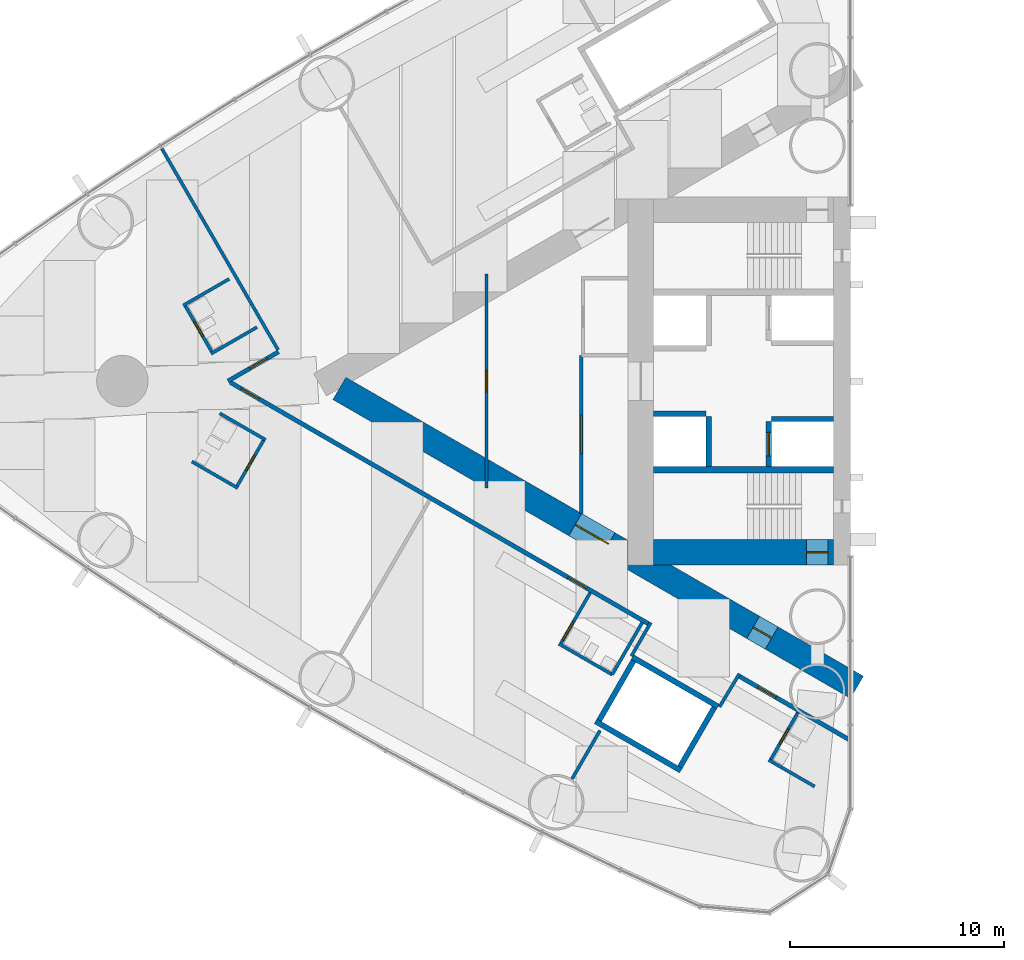
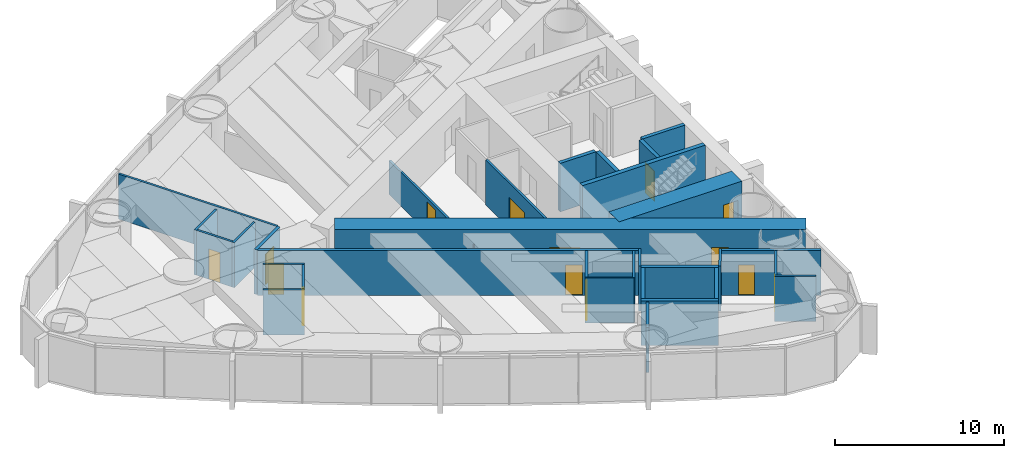
# One storey, part 11 of 18: 31 walls, 14 doors, 14 openings.
"""IFC4 building model written with IfcOpenShell, lengths in metres."""

from ifc_helpers import new_model, si_unit, direction, frame, frame_2d, origin, place, context, subcontext, project, spatial, rectangle, extrude, material, layer, layer_set, type_object, element, fill, save


model = new_model("IFC4")

# Units and contexts
model_context = context("Model", 3, precision=1e-05, world=origin(), true_north=direction((0.0, 1.0)))
body_context = subcontext(model_context, "Body", "Model", "MODEL_VIEW")
ifc_project = project(units=[si_unit("LENGTHUNIT", "METRE"), si_unit("AREAUNIT", "SQUARE_METRE"), si_unit("VOLUMEUNIT", "CUBIC_METRE"), si_unit("PLANEANGLEUNIT", "RADIAN"), si_unit("MASSUNIT", "GRAM", prefix="KILO")], contexts=[model_context])

# Site, building, storey
site_placement = place(None, origin())
site = spatial("IfcSite", under=ifc_project, at=site_placement, CompositionType="ELEMENT")
building_placement = place(site_placement, origin())
building = spatial("IfcBuilding", under=site, at=building_placement, Name="Lancet Gate Hotel", CompositionType="ELEMENT")
storey_placement = place(building_placement, frame((0.0, 0.0, 104.60009765625)))
storey = spatial("IfcBuildingStorey", under=building, at=storey_placement, Name="L27", CompositionType="ELEMENT", Elevation=104.60009765625)

# Wall
ifc_material_1 = material(Name="Moisture resistant board partition")
ifc_layer_1 = layer(ifc_material_1, 0.14990234375)
ifc_layer_set_1 = layer_set([ifc_layer_1], Name="Bathroom wall 150")
wall_type_1 = type_object("IfcWallType", Name="Bathroom wall 150", PredefinedType="PARTITIONING", material=ifc_layer_set_1)
wall_1_placement = place(storey_placement, frame((-56.51708984375, 4.763916015625, 0.0), z_axis=(0.0, 0.0, 1.0), x_axis=(-0.866031185235, -0.4999899861, 0.0)))
element("IfcWall", 1, at=wall_1_placement, inside=storey, type_object=wall_type_1, Name="T1 bathroom wall 150 L27", PredefinedType="PARTITIONING", context=body_context, shape_type="SweptSolid", body=[
    extrude(rectangle(XDim=2.47509765625, YDim=0.14990234375, at=frame_2d((1.237548828125, 0.0))), origin(), (0.0, 0.0, 1.0), 3.25),
])

# Wall, opening, door
wall_2_placement = place(storey_placement, frame((-57.295654296875, 1.312255859375, 0.0), z_axis=(0.0, 0.0, 1.0), x_axis=(-0.49997716683, 0.86603858612, 0.0)))
wall_2 = element("IfcWall", 2, at=wall_2_placement, inside=storey, type_object=wall_type_1, Name="T1 bathroom wall 150 L27", PredefinedType="PARTITIONING", context=body_context, shape_type="SweptSolid", body=[
    extrude(rectangle(XDim=2.599609375, YDim=0.14990234375, at=frame_2d((1.2998046875, 0.0))), origin(), (0.0, 0.0, 1.0), 3.25),
])
opening_1_placement = place(wall_2_placement, frame((0.89990234375, 0.0, 0.0)))
opening_1 = element("IfcOpeningElement", 3, at=opening_1_placement, cuts=wall_2, Name="Opening 2704-B", PredefinedType="OPENING", context=body_context, shape_type="SweptSolid", body=[
    extrude(rectangle(XDim=0.800048828125, YDim=2.199951171875, at=frame_2d((0.39990234375, 1.10009765625))), frame((0.0, 0.0849609375, 0.0), z_axis=(0.0, -1.0, 0.0), x_axis=(1.0, 0.0, 0.0)), (0.0, 0.0, 1.0), 0.169921875),
])
ifc_material_2 = material(Name="Timber door set", Category="wood")
door_type_1 = type_object("IfcDoorType", Name="Bathroom door 800", OperationType="SINGLE_SWING_RIGHT", PredefinedType="DOOR", material=ifc_material_2)
door_1_placement = place(opening_1_placement, origin())
door_1 = element("IfcDoor", 4, at=door_1_placement, inside=storey, type_object=door_type_1, Name="2704-B", OperationType="SINGLE_SWING_RIGHT", OverallHeight=2.199951171875, OverallWidth=0.800048828125, PredefinedType="DOOR", context=body_context, shape_type="SweptSolid", body=[
    extrude(rectangle(XDim=0.800048828125, YDim=2.199951171875, at=frame_2d((0.39990234375, 1.10009765625))), frame((0.0, 0.02490234375, 0.0), z_axis=(0.0, -1.0, 0.0), x_axis=(1.0, 0.0, 0.0)), (0.0, 0.0, 1.0), 0.050048828125),
])
fill(opening_1, door_1)

# Walls
for number, where, z_axis, x_axis, name in (
    (5, (-55.217041015625, 2.51220703125, 0.0), (0.0, 0.0, 1.0), (-0.866031185235, -0.4999899861, 0.0), "T1 bathroom wall 150 L27"),
    (6, (-56.111083984375, -4.998291015625, 0.0), (0.0, 0.0, 1.0), (-0.866031185235, 0.4999899861, 0.0), "T1 bathroom wall 150 L27"),
):
    element("IfcWall", number, at=place(storey_placement, frame(where, z_axis=z_axis, x_axis=x_axis)), inside=storey, type_object=wall_type_1, Name=name, PredefinedType="PARTITIONING", context=body_context, shape_type="SweptSolid", body=[
        extrude(rectangle(XDim=2.47509765625, YDim=0.14990234375, at=frame_2d((1.237548828125, 0.0))), origin(), (0.0, 0.0, 1.0), 3.25),
    ])

# Wall, opening, door
wall_3_placement = place(storey_placement, frame((-54.8759765625, -2.708984375, 0.0), z_axis=(0.0, 0.0, 1.0), x_axis=(-0.500006934395, -0.866021400173, 0.0)))
wall_3 = element("IfcWall", 7, at=wall_3_placement, inside=storey, type_object=wall_type_1, Name="T1 bathroom wall 150 L27", PredefinedType="PARTITIONING", context=body_context, shape_type="SweptSolid", body=[
    extrude(rectangle(XDim=2.60009765625, YDim=0.14990234375, at=frame_2d((1.300048828125, 0.0))), origin(), (0.0, 0.0, 1.0), 3.25),
])
opening_2_placement = place(wall_3_placement, frame((0.89990234375, 0.0, 0.0)))
opening_2 = element("IfcOpeningElement", 8, at=opening_2_placement, cuts=wall_3, Name="Opening 2705-B", PredefinedType="OPENING", context=body_context, shape_type="SweptSolid", body=[
    extrude(rectangle(XDim=0.800048828125, YDim=2.199951171875, at=frame_2d((0.39990234375, 1.10009765625))), frame((0.0, 0.0849609375, 0.0), z_axis=(0.0, -1.0, 0.0), x_axis=(1.0, 0.0, 0.0)), (0.0, 0.0, 1.0), 0.169921875),
])
door_2_placement = place(opening_2_placement, origin())
door_2 = element("IfcDoor", 9, at=door_2_placement, inside=storey, type_object=door_type_1, Name="2705-B", OperationType="SINGLE_SWING_RIGHT", OverallHeight=2.199951171875, OverallWidth=0.800048828125, PredefinedType="DOOR", context=body_context, shape_type="SweptSolid", body=[
    extrude(rectangle(XDim=0.800048828125, YDim=2.199951171875, at=frame_2d((0.39990234375, 1.10009765625))), frame((0.0, 0.02490234375, 0.0), z_axis=(0.0, -1.0, 0.0), x_axis=(1.0, 0.0, 0.0)), (0.0, 0.0, 1.0), 0.050048828125),
])
fill(opening_2, door_2)

# Walls
wall_4_placement = place(storey_placement, frame((-54.81103515625, -2.74658203125, 0.0), z_axis=(0.0, 0.0, 1.0), x_axis=(-0.866031185235, 0.4999899861, 0.0)))
element("IfcWall", 10, at=wall_4_placement, inside=storey, type_object=wall_type_1, Name="T1 bathroom wall 150 L27", PredefinedType="PARTITIONING", context=body_context, shape_type="SweptSolid", body=[
    extrude(rectangle(XDim=2.47509765625, YDim=0.14990234375, at=frame_2d((1.237548828125, 0.0))), origin(), (0.0, 0.0, 1.0), 3.25),
])
wall_5_placement = place(storey_placement, frame((-38.630126953125, -13.705322265625, 0.0), z_axis=(0.0, 0.0, 1.0), x_axis=(-0.866018712932, 0.500011588718, 0.0)))
element("IfcWall", 11, at=wall_5_placement, inside=storey, type_object=wall_type_1, Name="T1 bathroom wall 150 L27", PredefinedType="PARTITIONING", context=body_context, shape_type="SweptSolid", body=[
    extrude(rectangle(XDim=2.875, YDim=0.14990234375, at=frame_2d((1.4375, 0.0))), origin(), (0.0, 0.0, 1.0), 3.25),
])

# Wall, opening, door
wall_6_placement = place(storey_placement, frame((-39.65478515625, -9.88037109375, 0.0), z_axis=(0.0, 0.0, 1.0), x_axis=(-0.500049511043, -0.865996816683, 0.0)))
wall_6 = element("IfcWall", 12, at=wall_6_placement, inside=storey, type_object=wall_type_1, Name="T1 bathroom wall 150 L27", PredefinedType="PARTITIONING", context=body_context, shape_type="SweptSolid", body=[
    extrude(rectangle(XDim=2.800048828125, YDim=0.14990234375, at=frame_2d((1.39990234375, 0.0))), origin(), (0.0, 0.0, 1.0), 3.25),
])
opening_3_placement = place(wall_6_placement, frame((1.550048828125, 0.0, 0.0)))
opening_3 = element("IfcOpeningElement", 13, at=opening_3_placement, cuts=wall_6, Name="Opening 2707-B", PredefinedType="OPENING", context=body_context, shape_type="SweptSolid", body=[
    extrude(rectangle(XDim=1.0, YDim=2.199951171875, at=frame_2d((0.5, 1.10009765625))), frame((0.0, 0.0849609375, 0.0), z_axis=(0.0, -1.0, 0.0), x_axis=(1.0, 0.0, 0.0)), (0.0, 0.0, 1.0), 0.169921875),
])
ifc_material_3 = material(Name="Timber door set", Category="wood")
door_type_2 = type_object("IfcDoorType", Name="Accessible en-suite door 1000", OperationType="SINGLE_SWING_RIGHT", PredefinedType="DOOR", material=ifc_material_3)
door_3_placement = place(opening_3_placement, origin())
door_3 = element("IfcDoor", 14, at=door_3_placement, inside=storey, type_object=door_type_2, Name="2707-B", OperationType="SINGLE_SWING_RIGHT", OverallHeight=2.199951171875, OverallWidth=1.0, PredefinedType="DOOR", context=body_context, shape_type="SweptSolid", body=[
    extrude(rectangle(XDim=1.0, YDim=2.199951171875, at=frame_2d((0.5, 1.10009765625))), frame((0.0, 0.02490234375, 0.0), z_axis=(0.0, -1.0, 0.0), x_axis=(1.0, 0.0, 0.0)), (0.0, 0.0, 1.0), 0.050048828125),
])
fill(opening_3, door_3)

# Walls
wall_7_placement = place(storey_placement, frame((-37.22998046875, -11.280517578125, 0.0), z_axis=(0.0, 0.0, 1.0), x_axis=(-0.500049511043, -0.865996816683, 0.0)))
element("IfcWall", 15, at=wall_7_placement, inside=storey, type_object=wall_type_1, Name="T1 bathroom wall 150 L27", PredefinedType="PARTITIONING", context=body_context, shape_type="SweptSolid", body=[
    extrude(rectangle(XDim=2.800048828125, YDim=0.14990234375, at=frame_2d((1.39990234375, 0.0))), origin(), (0.0, 0.0, 1.0), 3.25),
])
wall_8_placement = place(storey_placement, frame((-29.181884765625, -18.92919921875, 0.0), z_axis=(0.0, 0.0, 1.0), x_axis=(-0.866006523861, 0.500032699561, 0.0)))
element("IfcWall", 16, at=wall_8_placement, inside=storey, type_object=wall_type_1, Name="T1 bathroom wall 150 L27", PredefinedType="PARTITIONING", context=body_context, shape_type="SweptSolid", body=[
    extrude(rectangle(XDim=2.474853515625, YDim=0.14990234375, at=frame_2d((1.2373046875, 0.0))), origin(), (0.0, 0.0, 1.0), 3.25),
])

# Wall, opening, door
wall_9_placement = place(storey_placement, frame((-29.960205078125, -15.4775390625, 0.0), z_axis=(0.0, 0.0, 1.0), x_axis=(-0.500006934395, -0.866021400173, 0.0)))
wall_9 = element("IfcWall", 17, at=wall_9_placement, inside=storey, type_object=wall_type_1, Name="T1 bathroom wall 150 L27", PredefinedType="PARTITIONING", context=body_context, shape_type="SweptSolid", body=[
    extrude(rectangle(XDim=2.60009765625, YDim=0.14990234375, at=frame_2d((1.300048828125, 0.0))), origin(), (0.0, 0.0, 1.0), 3.25),
])
opening_4_placement = place(wall_9_placement, frame((0.89990234375, 0.0, 0.0)))
opening_4 = element("IfcOpeningElement", 18, at=opening_4_placement, cuts=wall_9, Name="Opening 2708-B", PredefinedType="OPENING", context=body_context, shape_type="SweptSolid", body=[
    extrude(rectangle(XDim=0.800048828125, YDim=2.199951171875, at=frame_2d((0.39990234375, 1.10009765625))), frame((0.0, 0.0849609375, 0.0), z_axis=(0.0, -1.0, 0.0), x_axis=(1.0, 0.0, 0.0)), (0.0, 0.0, 1.0), 0.169921875),
])
door_4_placement = place(opening_4_placement, origin())
door_4 = element("IfcDoor", 19, at=door_4_placement, inside=storey, type_object=door_type_1, Name="2708-B", OperationType="SINGLE_SWING_RIGHT", OverallHeight=2.199951171875, OverallWidth=0.800048828125, PredefinedType="DOOR", context=body_context, shape_type="SweptSolid", body=[
    extrude(rectangle(XDim=0.800048828125, YDim=2.199951171875, at=frame_2d((0.39990234375, 1.10009765625))), frame((0.0, 0.02490234375, 0.0), z_axis=(0.0, -1.0, 0.0), x_axis=(1.0, 0.0, 0.0)), (0.0, 0.0, 1.0), 0.050048828125),
])
fill(opening_4, door_4)

# Wall, openings, doors
ifc_material_4 = material(Name="Concrete C70/85", Category="concrete")
ifc_layer_2 = layer(ifc_material_4, 1.199951171875)
ifc_layer_set_2 = layer_set([ifc_layer_2], Name="Buttress wall 1200")
wall_type_2 = type_object("IfcWallType", Name="Buttress wall 1200", PredefinedType="SHEAR", material=ifc_layer_set_2)
wall_10_placement = place(storey_placement, frame((-27.199951171875, -14.300048828125, 0.0), z_axis=(0.0, 0.0, 1.0), x_axis=(-0.866024021859, 0.500002393557, 0.0)))
wall_10 = element("IfcWall", 20, at=wall_10_placement, inside=storey, type_object=wall_type_2, Name="T1 buttress wall N L27", PredefinedType="SHEAR", context=body_context, shape_type="SweptSolid", body=[
    extrude(rectangle(XDim=27.906982421875, YDim=1.199951171875, at=frame_2d((13.95361328125, 0.0))), origin(), (0.0, 0.0, 1.0), 3.5),
])
opening_5_placement = place(wall_10_placement, frame((4.60009765625, 0.0, 0.0)))
opening_5 = element("IfcOpeningElement", 21, at=opening_5_placement, cuts=wall_10, Name="Opening T1-L27-LN", PredefinedType="OPENING", context=body_context, shape_type="SweptSolid", body=[
    extrude(rectangle(XDim=1.0, YDim=2.199951171875, at=frame_2d((0.5, 1.10009765625))), frame((0.0, 0.60986328125, 0.0), z_axis=(0.0, -1.0, 0.0), x_axis=(1.0, 0.0, 0.0)), (0.0, 0.0, 1.0), 1.219970703125),
])
opening_6_placement = place(wall_10_placement, frame((13.39453125, 0.0, 0.0)))
opening_6 = element("IfcOpeningElement", 22, at=opening_6_placement, cuts=wall_10, Name="Opening T1-L27-LHN", PredefinedType="OPENING", context=body_context, shape_type="SweptSolid", body=[
    extrude(rectangle(XDim=1.800048828125, YDim=2.199951171875, at=frame_2d((0.89990234375, 1.10009765625))), frame((0.0, 0.60986328125, 0.0), z_axis=(0.0, -1.0, 0.0), x_axis=(1.0, 0.0, 0.0)), (0.0, 0.0, 1.0), 1.219970703125),
])
ifc_material_5 = material(Name="Timber door set", Category="wood")
door_type_3 = type_object("IfcDoorType", Name="Lobby double door 1800", OperationType="DOUBLE_DOOR_SINGLE_SWING", PredefinedType="DOOR", material=ifc_material_5)
door_5_placement = place(opening_6_placement, origin())
door_5 = element("IfcDoor", 23, at=door_5_placement, inside=storey, type_object=door_type_3, Name="T1-L27-LHN", OperationType="DOUBLE_DOOR_SINGLE_SWING", OverallHeight=2.199951171875, OverallWidth=1.800048828125, PredefinedType="DOOR", context=body_context, shape_type="SweptSolid", body=[
    extrude(rectangle(XDim=1.800048828125, YDim=2.199951171875, at=frame_2d((0.89990234375, 1.10009765625))), frame((0.0, 0.02490234375, 0.0), z_axis=(0.0, -1.0, 0.0), x_axis=(1.0, 0.0, 0.0)), (0.0, 0.0, 1.0), 0.050048828125),
])
fill(opening_6, door_5)
ifc_material_6 = material(Name="Timber door set", Category="wood")
door_type_4 = type_object("IfcDoorType", Name="Stair lobby door 1000", OperationType="SINGLE_SWING_LEFT", PredefinedType="DOOR", material=ifc_material_6)
door_6_placement = place(opening_5_placement, origin())
door_6 = element("IfcDoor", 24, at=door_6_placement, inside=storey, type_object=door_type_4, Name="T1-L27-LN", OperationType="SINGLE_SWING_LEFT", OverallHeight=2.199951171875, OverallWidth=1.0, PredefinedType="DOOR", context=body_context, shape_type="SweptSolid", body=[
    extrude(rectangle(XDim=1.0, YDim=2.199951171875, at=frame_2d((0.5, 1.10009765625))), frame((0.0, 0.02490234375, 0.0), z_axis=(0.0, -1.0, 0.0), x_axis=(1.0, 0.0, 0.0)), (0.0, 0.0, 1.0), 0.050048828125),
])
fill(opening_5, door_6)

# Wall, opening, door
ifc_material_7 = material(Name="Concrete C70/85", Category="concrete")
ifc_layer_3 = layer(ifc_material_7, 1.199951171875)
ifc_layer_set_3 = layer_set([ifc_layer_3], Name="Core wall 1200")
wall_type_3 = type_object("IfcWallType", Name="Core wall 1200", PredefinedType="SHEAR", material=ifc_layer_set_3)
wall_11_placement = place(storey_placement, frame((-28.300048828125, -8.0, 0.0), z_axis=(0.0, 0.0, 1.0), x_axis=(-1.0, 0.0, 0.0)))
wall_11 = element("IfcWall", 25, at=wall_11_placement, inside=storey, type_object=wall_type_3, Name="T1 core wall side-N L27", PredefinedType="SHEAR", context=body_context, shape_type="SweptSolid", body=[
    extrude(rectangle(XDim=8.39990234375, YDim=1.199951171875, at=frame_2d((4.199951171875, 0.0))), origin(), (0.0, 0.0, 1.0), 3.5),
])
opening_7_placement = place(wall_11_placement, frame((0.25, 0.0, 0.0)))
opening_7 = element("IfcOpeningElement", 26, at=opening_7_placement, cuts=wall_11, Name="Opening T1-L27-ST2", PredefinedType="OPENING", context=body_context, shape_type="SweptSolid", body=[
    extrude(rectangle(XDim=1.0, YDim=2.199951171875, at=frame_2d((0.5, 1.10009765625))), frame((0.0, 0.60986328125, 0.0), z_axis=(0.0, -1.0, 0.0), x_axis=(1.0, 0.0, 0.0)), (0.0, 0.0, 1.0), 1.219970703125),
])
ifc_material_8 = material(Name="Timber door set", Category="wood")
door_type_5 = type_object("IfcDoorType", Name="Stair door 1000", OperationType="SINGLE_SWING_RIGHT", PredefinedType="DOOR", material=ifc_material_8)
door_7_placement = place(opening_7_placement, origin())
door_7 = element("IfcDoor", 27, at=door_7_placement, inside=storey, type_object=door_type_5, Name="T1-L27-ST2", OperationType="SINGLE_SWING_RIGHT", OverallHeight=2.199951171875, OverallWidth=1.0, PredefinedType="DOOR", context=body_context, shape_type="SweptSolid", body=[
    extrude(rectangle(XDim=1.0, YDim=2.199951171875, at=frame_2d((0.5, 1.10009765625))), frame((0.0, 0.02490234375, 0.0), z_axis=(0.0, -1.0, 0.0), x_axis=(1.0, 0.0, 0.0)), (0.0, 0.0, 1.0), 0.050048828125),
])
fill(opening_7, door_7)

ifc_material_9 = material(Name="Gypsum board partition")
ifc_layer_4 = layer(ifc_material_9, 0.199951171875)
ifc_layer_set_4 = layer_set([ifc_layer_4], Name="Corridor wall 200")
wall_type_4 = type_object("IfcWallType", Name="Corridor wall 200", PredefinedType="PARTITIONING", material=ifc_layer_set_4)
wall_12_placement = place(storey_placement, frame((-27.572021484375, -16.740966796875, 0.0), z_axis=(0.0, 0.0, 1.0), x_axis=(-0.866024464444, 0.500001626982, 0.0)))
wall_12 = element("IfcWall", 28, at=wall_12_placement, inside=storey, type_object=wall_type_4, Name="T1 corridor wall 200 L27", PredefinedType="PARTITIONING", context=body_context, shape_type="SweptSolid", body=[
    extrude(rectangle(XDim=5.955078125, YDim=0.199951171875, at=frame_2d((2.9775390625, 0.0))), origin(), (0.0, 0.0, 1.0), 3.25),
])
opening_8_placement = place(wall_12_placement, frame((3.949951171875, 0.0, 0.0)))
opening_8 = element("IfcOpeningElement", 29, at=opening_8_placement, cuts=wall_12, Name="Opening 2708-E", PredefinedType="OPENING", context=body_context, shape_type="SweptSolid", body=[
    extrude(rectangle(XDim=0.949951171875, YDim=2.199951171875, at=frame_2d((0.47509765625, 1.10009765625))), frame((0.0, 0.10986328125, 0.0), z_axis=(0.0, -1.0, 0.0), x_axis=(1.0, 0.0, 0.0)), (0.0, 0.0, 1.0), 0.219970703125),
])
ifc_material_10 = material(Name="Timber door set", Category="wood")
door_type_6 = type_object("IfcDoorType", Name="Guest room entry door 950", OperationType="SINGLE_SWING_LEFT", PredefinedType="DOOR", material=ifc_material_10)
door_8_placement = place(opening_8_placement, origin())
door_8 = element("IfcDoor", 30, at=door_8_placement, inside=storey, type_object=door_type_6, Name="2708-E", OperationType="SINGLE_SWING_LEFT", OverallHeight=2.199951171875, OverallWidth=0.949951171875, PredefinedType="DOOR", context=body_context, shape_type="SweptSolid", body=[
    extrude(rectangle(XDim=0.949951171875, YDim=2.199951171875, at=frame_2d((0.47509765625, 1.10009765625))), frame((0.0, 0.02490234375, 0.0), z_axis=(0.0, -1.0, 0.0), x_axis=(1.0, 0.0, 0.0)), (0.0, 0.0, 1.0), 0.050048828125),
])
fill(opening_8, door_8)

# Wall, openings, doors
wall_13_placement = place(storey_placement, frame((-36.920166015625, -11.34375, 0.0), z_axis=(0.0, 0.0, 1.0), x_axis=(-0.866028313256, 0.499994960614, 0.0)))
wall_13 = element("IfcWall", 31, at=wall_13_placement, inside=storey, type_object=wall_type_4, Name="T1 corridor wall 200 L27", PredefinedType="PARTITIONING", context=body_context, shape_type="SweptSolid", body=[
    extrude(rectangle(XDim=22.567626953125, YDim=0.199951171875, at=frame_2d((11.28369140625, 0.0))), origin(), (0.0, 0.0, 1.0), 3.25),
])
opening_9_placement = place(wall_13_placement, frame((21.017578125, 0.0, 0.0)))
opening_9 = element("IfcOpeningElement", 32, at=opening_9_placement, cuts=wall_13, Name="Opening 2705-E", PredefinedType="OPENING", context=body_context, shape_type="SweptSolid", body=[
    extrude(rectangle(XDim=0.949951171875, YDim=2.199951171875, at=frame_2d((0.47509765625, 1.10009765625))), frame((0.0, 0.10986328125, 0.0), z_axis=(0.0, -1.0, 0.0), x_axis=(1.0, 0.0, 0.0)), (0.0, 0.0, 1.0), 0.219970703125),
])
opening_10_placement = place(wall_13_placement, frame((3.35009765625, 0.0, 0.0)))
opening_10 = element("IfcOpeningElement", 33, at=opening_10_placement, cuts=wall_13, Name="Opening 2707-E", PredefinedType="OPENING", context=body_context, shape_type="SweptSolid", body=[
    extrude(rectangle(XDim=1.0, YDim=2.199951171875, at=frame_2d((0.5, 1.10009765625))), frame((0.0, 0.10986328125, 0.0), z_axis=(0.0, -1.0, 0.0), x_axis=(1.0, 0.0, 0.0)), (0.0, 0.0, 1.0), 0.219970703125),
])
ifc_material_11 = material(Name="Timber door set", Category="wood")
door_type_7 = type_object("IfcDoorType", Name="Accessible guest room door 1000", OperationType="SINGLE_SWING_LEFT", PredefinedType="DOOR", material=ifc_material_11)
door_9_placement = place(opening_10_placement, origin())
door_9 = element("IfcDoor", 34, at=door_9_placement, inside=storey, type_object=door_type_7, Name="2707-E", OperationType="SINGLE_SWING_LEFT", OverallHeight=2.199951171875, OverallWidth=1.0, PredefinedType="DOOR", context=body_context, shape_type="SweptSolid", body=[
    extrude(rectangle(XDim=1.0, YDim=2.199951171875, at=frame_2d((0.5, 1.10009765625))), frame((0.0, 0.02490234375, 0.0), z_axis=(0.0, -1.0, 0.0), x_axis=(1.0, 0.0, 0.0)), (0.0, 0.0, 1.0), 0.050048828125),
])
fill(opening_10, door_9)
door_10_placement = place(opening_9_placement, origin())
door_10 = element("IfcDoor", 35, at=door_10_placement, inside=storey, type_object=door_type_6, Name="2705-E", OperationType="SINGLE_SWING_LEFT", OverallHeight=2.199951171875, OverallWidth=0.949951171875, PredefinedType="DOOR", context=body_context, shape_type="SweptSolid", body=[
    extrude(rectangle(XDim=0.949951171875, YDim=2.199951171875, at=frame_2d((0.47509765625, 1.10009765625))), frame((0.0, 0.02490234375, 0.0), z_axis=(0.0, -1.0, 0.0), x_axis=(1.0, 0.0, 0.0)), (0.0, 0.0, 1.0), 0.050048828125),
])
fill(opening_9, door_10)

# Wall, opening, door
wall_14_placement = place(storey_placement, frame((-54.207275390625, 1.363037109375, 0.0), z_axis=(0.0, 0.0, 1.0), x_axis=(-0.866046902845, -0.499962760685, 0.0)))
wall_14 = element("IfcWall", 36, at=wall_14_placement, inside=storey, type_object=wall_type_4, Name="T1 corridor wall 200 L27", PredefinedType="PARTITIONING", context=body_context, shape_type="SweptSolid", body=[
    extrude(rectangle(XDim=2.726318359375, YDim=0.199951171875, at=frame_2d((1.36328125, 0.0))), origin(), (0.0, 0.0, 1.0), 3.25),
])
opening_11_placement = place(wall_14_placement, frame((0.60009765625, 0.0, 0.0)))
opening_11 = element("IfcOpeningElement", 37, at=opening_11_placement, cuts=wall_14, Name="Opening 2704-E", PredefinedType="OPENING", context=body_context, shape_type="SweptSolid", body=[
    extrude(rectangle(XDim=0.949951171875, YDim=2.199951171875, at=frame_2d((0.47509765625, 1.10009765625))), frame((0.0, 0.10986328125, 0.0), z_axis=(0.0, -1.0, 0.0), x_axis=(1.0, 0.0, 0.0)), (0.0, 0.0, 1.0), 0.219970703125),
])
door_11_placement = place(opening_11_placement, origin())
door_11 = element("IfcDoor", 38, at=door_11_placement, inside=storey, type_object=door_type_6, Name="2704-E", OperationType="SINGLE_SWING_LEFT", OverallHeight=2.199951171875, OverallWidth=0.949951171875, PredefinedType="DOOR", context=body_context, shape_type="SweptSolid", body=[
    extrude(rectangle(XDim=0.949951171875, YDim=2.199951171875, at=frame_2d((0.47509765625, 1.10009765625))), frame((0.0, 0.02490234375, 0.0), z_axis=(0.0, -1.0, 0.0), x_axis=(1.0, 0.0, 0.0)), (0.0, 0.0, 1.0), 0.050048828125),
])
fill(opening_11, door_11)

# Walls
ifc_material_12 = material(Name="Gypsum board partition")
ifc_layer_5 = layer(ifc_material_12, 0.25)
ifc_layer_set_5 = layer_set([ifc_layer_5], Name="Lift shaft partition 250")
wall_type_5 = type_object("IfcWallType", Name="Lift shaft partition 250", PredefinedType="PARTITIONING", material=ifc_layer_set_5)
wall_15_placement = place(storey_placement, frame((-33.695556640625, -15.197265625, 0.0), z_axis=(0.0, 0.0, 1.0), x_axis=(-0.865976953817, 0.500083908417, 0.0)))
element("IfcWall", 39, at=wall_15_placement, inside=storey, type_object=wall_type_5, Name="T1 lift shaft wall EX L27", PredefinedType="PARTITIONING", context=body_context, shape_type="SweptSolid", body=[
    extrude(rectangle(XDim=4.599365234375, YDim=0.25, at=frame_2d((2.2998046875, 0.0))), origin(), (0.0, 0.0, 1.0), 3.25),
])
wall_16_placement = place(storey_placement, frame((-35.42041015625, -18.185791015625, 0.0), z_axis=(0.0, 0.0, 1.0), x_axis=(-0.865990227814, 0.50006092162, 0.0)))
element("IfcWall", 40, at=wall_16_placement, inside=storey, type_object=wall_type_5, Name="T1 lift shaft wall EX L27", PredefinedType="PARTITIONING", context=body_context, shape_type="SweptSolid", body=[
    extrude(rectangle(XDim=4.599609375, YDim=0.25, at=frame_2d((2.2998046875, 0.0))), origin(), (0.0, 0.0, 1.0), 3.25),
])
wall_17_placement = place(storey_placement, frame((-33.8662109375, -15.242919921875, 0.0), z_axis=(0.0, 0.0, 1.0), x_axis=(-0.499929347863, -0.866066190972, 0.0)))
element("IfcWall", 41, at=wall_17_placement, inside=storey, type_object=wall_type_5, Name="T1 lift shaft wall EX L27", PredefinedType="PARTITIONING", context=body_context, shape_type="SweptSolid", body=[
    extrude(rectangle(XDim=3.20068359375, YDim=0.25, at=frame_2d((1.600341796875, 0.0))), origin(), (0.0, 0.0, 1.0), 3.25),
])
wall_18_placement = place(storey_placement, frame((-37.6328125, -13.068115234375, 0.0), z_axis=(0.0, 0.0, 1.0), x_axis=(-0.499872130319, -0.866099216793, 0.0)))
element("IfcWall", 42, at=wall_18_placement, inside=storey, type_object=wall_type_5, Name="T1 lift shaft wall EX L27", PredefinedType="PARTITIONING", context=body_context, shape_type="SweptSolid", body=[
    extrude(rectangle(XDim=3.200439453125, YDim=0.25, at=frame_2d((1.60009765625, 0.0))), origin(), (0.0, 0.0, 1.0), 3.25),
])

# Wall, opening, door
ifc_material_13 = material(Name="Concrete C50/60", Category="concrete")
ifc_layer_6 = layer(ifc_material_13, 0.25)
ifc_layer_set_6 = layer_set([ifc_layer_6], Name="Lift shaft wall 250")
wall_type_6 = type_object("IfcWallType", Name="Lift shaft wall 250", PredefinedType="SHEAR", material=ifc_layer_set_6)
wall_19_placement = place(storey_placement, frame((-31.324951171875, -1.89990234375, 0.0), z_axis=(0.0, 0.0, 1.0), x_axis=(0.0, -1.0, 0.0)))
wall_19 = element("IfcWall", 43, at=wall_19_placement, inside=storey, type_object=wall_type_6, Name="T1 core wall row1-N L27", PredefinedType="SHEAR", context=body_context, shape_type="SweptSolid", body=[
    extrude(rectangle(XDim=2.10009765625, YDim=0.25, at=frame_2d((1.050048828125, 0.0))), origin(), (0.0, 0.0, 1.0), 3.5),
])
opening_12_placement = place(wall_19_placement, frame((0.5, 0.0, 0.0)))
opening_12 = element("IfcOpeningElement", 44, at=opening_12_placement, cuts=wall_19, Name="Opening T1-FL2-L27", PredefinedType="OPENING", context=body_context, shape_type="SweptSolid", body=[
    extrude(rectangle(XDim=1.10009765625, YDim=2.199951171875, at=frame_2d((0.550048828125, 1.10009765625))), frame((0.0, 0.135009765625, 0.0), z_axis=(0.0, -1.0, 0.0), x_axis=(1.0, 0.0, 0.0)), (0.0, 0.0, 1.0), 0.27001953125),
])
ifc_material_14 = material(Name="Steel door set", Category="steel")
door_type_8 = type_object("IfcDoorType", Name="Firefighting lift landing door 1100", OperationType="SLIDING_TO_LEFT", PredefinedType="USERDEFINED", material=ifc_material_14)
door_12_placement = place(opening_12_placement, origin())
door_12 = element("IfcDoor", 45, at=door_12_placement, inside=storey, type_object=door_type_8, Name="T1-FL2-L27", ObjectType="LIFT LANDING DOOR", OperationType="SLIDING_TO_LEFT", OverallHeight=2.199951171875, OverallWidth=1.10009765625, PredefinedType="USERDEFINED", context=body_context, shape_type="SweptSolid", body=[
    extrude(rectangle(XDim=1.10009765625, YDim=2.199951171875, at=frame_2d((0.550048828125, 1.10009765625))), frame((0.0, 0.02490234375, 0.0), z_axis=(0.0, -1.0, 0.0), x_axis=(1.0, 0.0, 0.0)), (0.0, 0.0, 1.0), 0.050048828125),
])
fill(opening_12, door_12)

# Walls
wall_20_placement = place(storey_placement, frame((-34.125, -1.64990234375, 0.0), z_axis=(0.0, 0.0, 1.0), x_axis=(0.0, -1.0, 0.0)))
element("IfcWall", 46, at=wall_20_placement, inside=storey, type_object=wall_type_6, Name="T1 core wall row2-N L27", PredefinedType="SHEAR", context=body_context, shape_type="SweptSolid", body=[
    extrude(rectangle(XDim=2.35009765625, YDim=0.25, at=frame_2d((1.175048828125, 0.0))), origin(), (0.0, 0.0, 1.0), 3.5),
])
wall_21_placement = place(storey_placement, frame((-28.300048828125, -1.77490234375, 0.0), z_axis=(0.0, 0.0, 1.0), x_axis=(-1.0, 0.0, 0.0)))
element("IfcWall", 47, at=wall_21_placement, inside=storey, type_object=wall_type_6, Name="T1 core wall pass1-N L27", PredefinedType="SHEAR", context=body_context, shape_type="SweptSolid", body=[
    extrude(rectangle(XDim=2.89990234375, YDim=0.25, at=frame_2d((1.449951171875, 0.0))), origin(), (0.0, 0.0, 1.0), 3.5),
])
wall_22_placement = place(storey_placement, frame((-34.25, -1.52490234375, 0.0), z_axis=(0.0, 0.0, 1.0), x_axis=(-1.0, 0.0, 0.0)))
element("IfcWall", 48, at=wall_22_placement, inside=storey, type_object=wall_type_6, Name="T1 core wall pass2-N L27", PredefinedType="SHEAR", context=body_context, shape_type="SweptSolid", body=[
    extrude(rectangle(XDim=2.449951171875, YDim=0.25, at=frame_2d((1.22509765625, 0.0))), origin(), (0.0, 0.0, 1.0), 3.5),
])
ifc_material_15 = material(Name="Gypsum board partition")
ifc_layer_7 = layer(ifc_material_15, 0.14990234375)
ifc_layer_set_7 = layer_set([ifc_layer_7], Name="Party wall 150")
wall_type_7 = type_object("IfcWallType", Name="Party wall 150", PredefinedType="PARTITIONING", material=ifc_layer_set_7)
wall_23_placement = place(storey_placement, frame((-54.235595703125, 1.462158203125, 0.0), z_axis=(0.0, 0.0, 1.0), x_axis=(-0.499990351854, 0.866030974073, 0.0)))
element("IfcWall", 49, at=wall_23_placement, inside=storey, type_object=wall_type_7, Name="T1 party wall 150 L27", PredefinedType="PARTITIONING", context=body_context, shape_type="SweptSolid", body=[
    extrude(rectangle(XDim=10.833740234375, YDim=0.14990234375, at=frame_2d((5.4169921875, 0.0))), origin(), (0.0, 0.0, 1.0), 3.25),
])
wall_24_placement = place(storey_placement, frame((-39.2021484375, -16.319580078125, 0.0), z_axis=(0.0, 0.0, 1.0), x_axis=(-0.49997716683, -0.86603858612, 0.0)))
element("IfcWall", 50, at=wall_24_placement, inside=storey, type_object=wall_type_7, Name="T1 party wall 150 L27", PredefinedType="PARTITIONING", context=body_context, shape_type="SweptSolid", body=[
    extrude(rectangle(XDim=2.599609375, YDim=0.14990234375, at=frame_2d((1.2998046875, 0.0))), origin(), (0.0, 0.0, 1.0), 3.25),
])
ifc_material_16 = material(Name="Gypsum board partition")
ifc_layer_8 = layer(ifc_material_16, 0.14990234375)
ifc_layer_set_8 = layer_set([ifc_layer_8], Name="Service room wall 150")
wall_type_8 = type_object("IfcWallType", Name="Service room wall 150", PredefinedType="PARTITIONING", material=ifc_layer_set_8)
wall_25_placement = place(storey_placement, frame((-36.831298828125, -11.27978515625, 0.0), z_axis=(0.0, 0.0, 1.0), x_axis=(-0.499937177781, -0.866061671171, 0.0)))
element("IfcWall", 51, at=wall_25_placement, inside=storey, type_object=wall_type_8, Name="T1 service room wall 150 L27", PredefinedType="PARTITIONING", context=body_context, shape_type="SweptSolid", body=[
    extrude(rectangle(XDim=1.804443359375, YDim=0.14990234375, at=frame_2d((0.90234375, 0.0))), origin(), (0.0, 0.0, 1.0), 3.25),
])
wall_26_placement = place(storey_placement, frame((-33.62060546875, -15.217529296875, 0.0), z_axis=(0.0, 0.0, 1.0), x_axis=(0.514336634837, 0.857588377991, 0.0)))
element("IfcWall", 52, at=wall_26_placement, inside=storey, type_object=wall_type_8, Name="T1 service room wall 150 L27", PredefinedType="PARTITIONING", context=body_context, shape_type="SweptSolid", body=[
    extrude(rectangle(XDim=1.80517578125, YDim=0.14990234375, at=frame_2d((0.902587890625, 0.0))), origin(), (0.0, 0.0, 1.0), 3.25),
])

# Wall, opening, door
wall_27_placement = place(storey_placement, frame((-40.074951171875, 1.199951171875, 0.0), z_axis=(0.0, 0.0, 1.0), x_axis=(0.0, -1.0, 0.0)))
wall_27 = element("IfcWall", 53, at=wall_27_placement, inside=storey, type_object=wall_type_8, Name="T1 service room wall 150 L27", PredefinedType="PARTITIONING", context=body_context, shape_type="SweptSolid", body=[
    extrude(rectangle(XDim=7.373779296875, YDim=0.14990234375, at=frame_2d((3.68701171875, 0.0))), origin(), (0.0, 0.0, 1.0), 3.25),
])
opening_13_placement = place(wall_27_placement, frame((2.786865234375, 0.0, 0.0)))
opening_13 = element("IfcOpeningElement", 54, at=opening_13_placement, cuts=wall_27, Name="Opening T1-L27-LH", PredefinedType="OPENING", context=body_context, shape_type="SweptSolid", body=[
    extrude(rectangle(XDim=1.800048828125, YDim=2.199951171875, at=frame_2d((0.89990234375, 1.10009765625))), frame((0.0, 0.0849609375, 0.0), z_axis=(0.0, -1.0, 0.0), x_axis=(1.0, 0.0, 0.0)), (0.0, 0.0, 1.0), 0.169921875),
])
door_13_placement = place(opening_13_placement, origin())
door_13 = element("IfcDoor", 55, at=door_13_placement, inside=storey, type_object=door_type_3, Name="T1-L27-LH", OperationType="DOUBLE_DOOR_SINGLE_SWING", OverallHeight=2.199951171875, OverallWidth=1.800048828125, PredefinedType="DOOR", context=body_context, shape_type="SweptSolid", body=[
    extrude(rectangle(XDim=1.800048828125, YDim=2.199951171875, at=frame_2d((0.89990234375, 1.10009765625))), frame((0.0, 0.02490234375, 0.0), z_axis=(0.0, -1.0, 0.0), x_axis=(1.0, 0.0, 0.0)), (0.0, 0.0, 1.0), 0.050048828125),
])
fill(opening_13, door_13)

wall_28_placement = place(storey_placement, frame((-44.5, 5.004638671875, 0.0), z_axis=(0.0, 0.0, 1.0), x_axis=(0.0, -1.0, 0.0)))
wall_28 = element("IfcWall", 56, at=wall_28_placement, inside=storey, type_object=wall_type_8, Name="T1 service room wall 150 L27", PredefinedType="PARTITIONING", context=body_context, shape_type="SweptSolid", body=[
    extrude(rectangle(XDim=10.00927734375, YDim=0.14990234375, at=frame_2d((5.004638671875, 0.0))), origin(), (0.0, 0.0, 1.0), 2.449951171875),
])
opening_14_placement = place(wall_28_placement, frame((4.504638671875, 0.0, 0.0)))
opening_14 = element("IfcOpeningElement", 57, at=opening_14_placement, cuts=wall_28, Name="Opening T1-L27-SV", PredefinedType="OPENING", context=body_context, shape_type="SweptSolid", body=[
    extrude(rectangle(XDim=1.0, YDim=2.199951171875, at=frame_2d((0.5, 1.10009765625))), frame((0.0, 0.0849609375, 0.0), z_axis=(0.0, -1.0, 0.0), x_axis=(1.0, 0.0, 0.0)), (0.0, 0.0, 1.0), 0.169921875),
])
ifc_material_17 = material(Name="Timber door set", Category="wood")
door_type_9 = type_object("IfcDoorType", Name="Service door 1000", OperationType="SINGLE_SWING_LEFT", PredefinedType="DOOR", material=ifc_material_17)
door_14_placement = place(opening_14_placement, origin())
door_14 = element("IfcDoor", 58, at=door_14_placement, inside=storey, type_object=door_type_9, Name="T1-L27-SV", OperationType="SINGLE_SWING_LEFT", OverallHeight=2.199951171875, OverallWidth=1.0, PredefinedType="DOOR", context=body_context, shape_type="SweptSolid", body=[
    extrude(rectangle(XDim=1.0, YDim=2.199951171875, at=frame_2d((0.5, 1.10009765625))), frame((0.0, 0.02490234375, 0.0), z_axis=(0.0, -1.0, 0.0), x_axis=(1.0, 0.0, 0.0)), (0.0, 0.0, 1.0), 0.050048828125),
])
fill(opening_14, door_14)

# Wall
ifc_material_18 = material(Name="Concrete C50/60", Category="concrete")
ifc_layer_9 = layer(ifc_material_18, 0.300048828125)
ifc_layer_set_9 = layer_set([ifc_layer_9], Name="Stair enclosure wall 300")
wall_type_9 = type_object("IfcWallType", Name="Stair enclosure wall 300", PredefinedType="SHEAR", material=ifc_layer_set_9)
wall_29_placement = place(storey_placement, frame((-28.300048828125, -4.14990234375, 0.0), z_axis=(0.0, 0.0, 1.0), x_axis=(-1.0, 0.0, 0.0)))
element("IfcWall", 59, at=wall_29_placement, inside=storey, type_object=wall_type_9, Name="T1 core wall stair-N L27", PredefinedType="SHEAR", context=body_context, shape_type="SweptSolid", body=[
    extrude(rectangle(XDim=8.39990234375, YDim=0.300048828125, at=frame_2d((4.199951171875, 0.0))), origin(), (0.0, 0.0, 1.0), 3.5),
])

save(model, "model.ifc")
